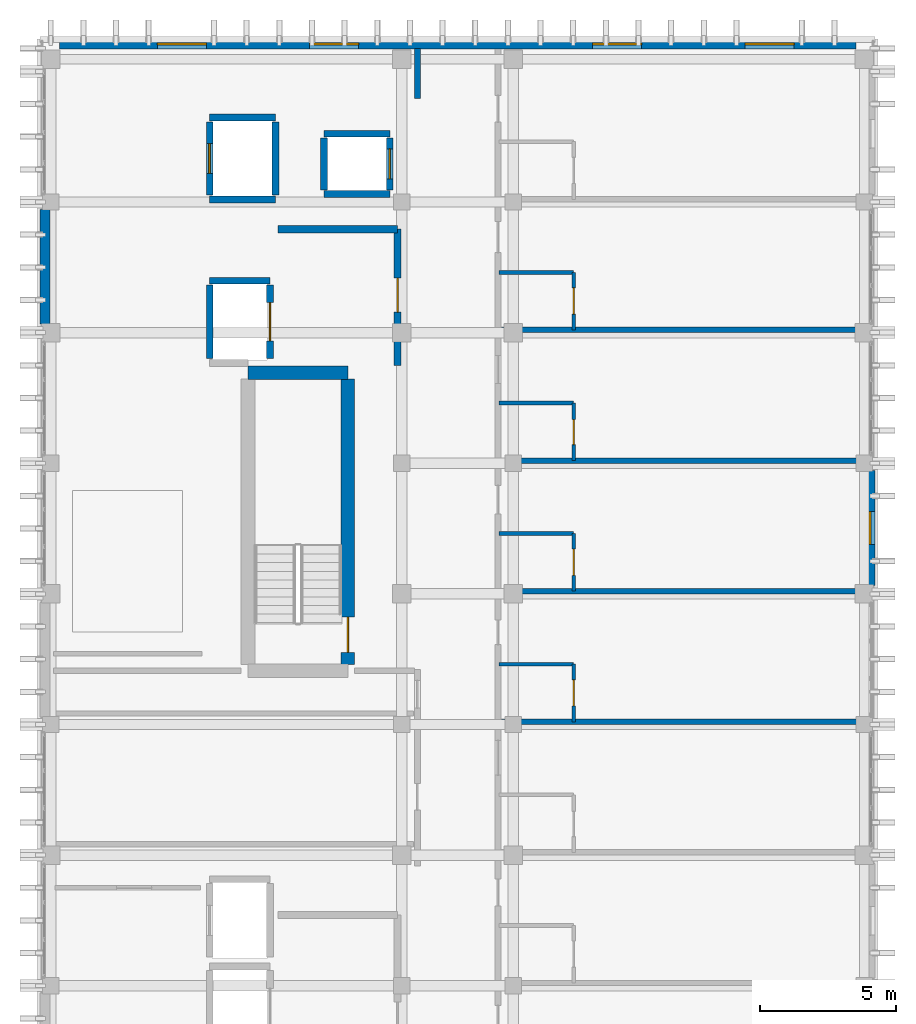
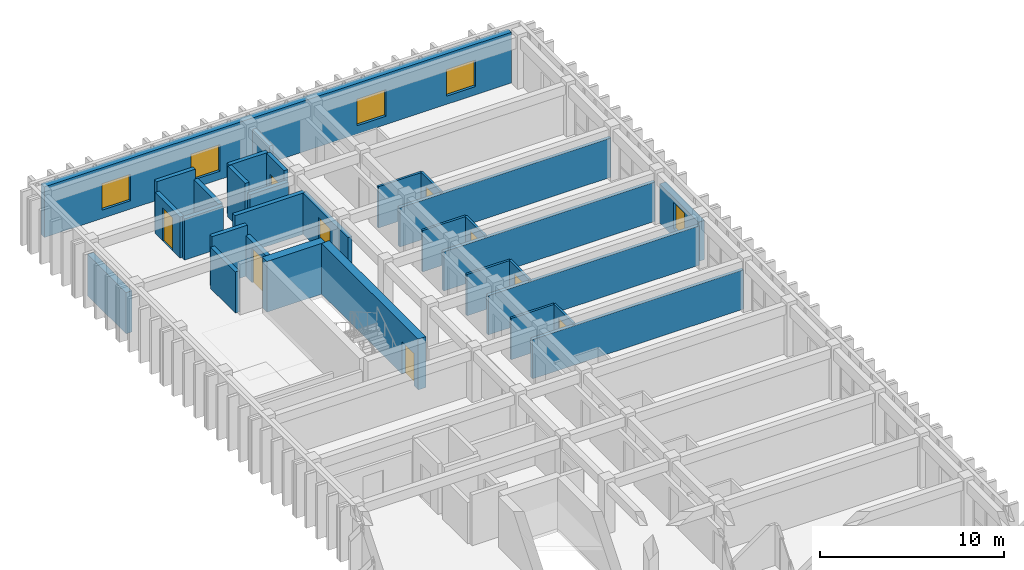
# One storey, part 46 of 53: 31 walls, 9 doors, 5 windows, 14 openings.
"""IFC4 building model written with IfcOpenShell, lengths in metres."""

from ifc_helpers import new_model, si_unit, direction, frame, frame_2d, origin, place, context, subcontext, project, spatial, rectangle, extrude, material, layer, layer_set, type_object, element, fill, save


model = new_model("IFC4")

# Units and contexts
model_context = context("Model", 3, precision=1e-05, world=origin(), true_north=direction((0.0, 1.0)))
body_context = subcontext(model_context, "Body", "Model", "MODEL_VIEW")
ifc_project = project(units=[si_unit("LENGTHUNIT", "METRE"), si_unit("AREAUNIT", "SQUARE_METRE"), si_unit("VOLUMEUNIT", "CUBIC_METRE"), si_unit("PLANEANGLEUNIT", "RADIAN"), si_unit("MASSUNIT", "GRAM", prefix="KILO")], contexts=[model_context])

# Site, building, storey
site_placement = place(None, origin())
site = spatial("IfcSite", under=ifc_project, at=site_placement, CompositionType="ELEMENT")
building_placement = place(site_placement, origin())
building = spatial("IfcBuilding", under=site, at=building_placement, Name="Nakhvara Creek Congress Hotel", CompositionType="ELEMENT")
storey_placement = place(building_placement, frame((0.0, 0.0, 35.39990234375)))
storey = spatial("IfcBuildingStorey", under=building, at=storey_placement, Name="L08", CompositionType="ELEMENT", Elevation=35.39990234375)

# Wall
ifc_material_1 = material(Name="Concrete C50/60", Category="concrete")
ifc_layer_1 = layer(ifc_material_1, 0.5)
ifc_layer_set_1 = layer_set([ifc_layer_1], Name="Concrete C50/60")
wall_type_1 = type_object("IfcWallType", Name="W-CORE-500", PredefinedType="SHEAR", material=ifc_layer_set_1)
wall_1_placement = place(storey_placement, frame((156.699951171875, 113.719970703125, 0.0), z_axis=(0.0, 0.0, 1.0), x_axis=(1.0, 0.0, 0.0)))
element("IfcWall", 1, at=wall_1_placement, inside=storey, type_object=wall_type_1, Name="Core Shear Wall WS01-CWALL-L08-0449", PredefinedType="SHEAR", context=body_context, shape_type="SweptSolid", body=[
    extrude(rectangle(XDim=3.670166015625, YDim=0.5, at=frame_2d((1.8349609375, 0.0))), origin(), (0.0, 0.0, 1.0), 3.360107421875),
])

# Wall, opening, door
wall_2_placement = place(storey_placement, frame((160.3701171875, 103.0, 0.0), z_axis=(0.0, 0.0, 1.0), x_axis=(0.0, 1.0, 0.0)))
wall_2 = element("IfcWall", 2, at=wall_2_placement, inside=storey, type_object=wall_type_1, Name="Core Shear Wall WS01-CWALL-L08-0451", PredefinedType="SHEAR", context=body_context, shape_type="SweptSolid", body=[
    extrude(rectangle(XDim=10.5, YDim=0.5, at=frame_2d((5.25, 0.0))), origin(), (0.0, 0.0, 1.0), 3.360107421875),
])
opening_1_placement = place(wall_2_placement, frame((0.449951171875, 0.0, 0.0)))
opening_1 = element("IfcOpeningElement", 3, at=opening_1_placement, cuts=wall_2, Name="Opening FD04", PredefinedType="OPENING", context=body_context, shape_type="SweptSolid", body=[
    extrude(rectangle(XDim=1.300048828125, YDim=2.14990234375, at=frame_2d((0.64990234375, 1.074951171875))), frame((0.0, 0.261962890625, 0.0), z_axis=(0.0, -1.0, 0.0), x_axis=(1.0, 0.0, 0.0)), (0.0, 0.0, 1.0), 0.52392578125),
])
ifc_material_2 = material(Name="Powder-coated steel fire door", Category="steel")
door_type_1 = type_object("IfcDoorType", Name="DT-STAIR-130", OperationType="NOTDEFINED", PredefinedType="DOOR", material=ifc_material_2)
door_1_placement = place(opening_1_placement, frame((1.300048828125, 0.0, 0.0), z_axis=(0.0, 0.0, 1.0), x_axis=(-1.0, 0.0, 0.0)))
door_1 = element("IfcDoor", 4, at=door_1_placement, inside=storey, type_object=door_type_1, Name="Stair Exit Door ST02-L08", OperationType="SINGLE_SWING_LEFT", OverallHeight=2.14990234375, OverallWidth=1.300048828125, PredefinedType="DOOR", context=body_context, shape_type="SweptSolid", body=[
    extrude(rectangle(XDim=1.300048828125, YDim=2.14990234375, at=frame_2d((0.64990234375, 1.074951171875))), frame((0.0, 0.02490234375, 0.0), z_axis=(0.0, -1.0, 0.0), x_axis=(1.0, 0.0, 0.0)), (0.0, 0.0, 1.0), 0.050048828125),
])
fill(opening_1, door_1)

# Wall
ifc_material_3 = material(Name="Gypsum acoustic board on steel stud", Category="steel")
ifc_layer_2 = layer(ifc_material_3, 0.219970703125)
ifc_layer_set_2 = layer_set([ifc_layer_2], Name="Gypsum acoustic board on steel stud")
wall_type_2 = type_object("IfcWallType", Name="W-CORR-220", PredefinedType="PARTITIONING", material=ifc_layer_set_2)
wall_3_placement = place(storey_placement, frame((162.919921875, 123.800048828125, 0.0), z_axis=(0.0, 0.0, 1.0), x_axis=(0.0, 1.0, 0.0)))
element("IfcWall", 5, at=wall_3_placement, inside=storey, type_object=wall_type_2, Name="Interior Wall WP11-IW-L08-0587", PredefinedType="PARTITIONING", context=body_context, shape_type="SweptSolid", body=[
    extrude(rectangle(XDim=1.849853515625, YDim=0.219970703125, at=frame_2d((0.9248046875, 0.0))), origin(), (0.0, 0.0, 1.0), 2.60205078125),
])

# Wall, opening, door
ifc_material_4 = material(Name="Moisture-resistant gypsum board partition")
ifc_layer_3 = layer(ifc_material_4, 0.139892578125)
ifc_layer_set_3 = layer_set([ifc_layer_3], Name="Moisture-resistant gypsum board partition")
wall_type_3 = type_object("IfcWallType", Name="W-ENS-140", PredefinedType="PARTITIONING", material=ifc_layer_set_3)
wall_4_placement = place(storey_placement, frame((168.669921875, 100.89990234375, 0.0), z_axis=(0.0, 0.0, 1.0), x_axis=(0.0, 1.0, 0.0)))
wall_4 = element("IfcWall", 6, at=wall_4_placement, inside=storey, type_object=wall_type_3, Name="Interior Wall WP15-IW-L08-0632", PredefinedType="PARTITIONING", context=body_context, shape_type="SweptSolid", body=[
    extrude(rectangle(XDim=2.1162109375, YDim=0.139892578125, at=frame_2d((1.05810546875, 0.0))), origin(), (0.0, 0.0, 1.0), 2.732177734375),
])
opening_2_placement = place(wall_4_placement, frame((0.5830078125, 0.0, 0.0)))
opening_2 = element("IfcOpeningElement", 7, at=opening_2_placement, cuts=wall_4, Name="Opening ID02", PredefinedType="OPENING", context=body_context, shape_type="SweptSolid", body=[
    extrude(rectangle(XDim=0.9599609375, YDim=2.1201171875, at=frame_2d((0.47998046875, 1.06005859375))), frame((0.0, 0.08203125, 0.0), z_axis=(0.0, -1.0, 0.0), x_axis=(1.0, 0.0, 0.0)), (0.0, 0.0, 1.0), 0.163818359375),
])
ifc_material_5 = material(Name="Moisture-resistant walnut timber door", Category="wood")
door_type_2 = type_object("IfcDoorType", Name="DT-ENS-096", OperationType="NOTDEFINED", PredefinedType="DOOR", material=ifc_material_5)
door_2_placement = place(opening_2_placement, frame((0.9599609375, 0.0, 0.0), z_axis=(0.0, 0.0, 1.0), x_axis=(-1.0, 0.0, 0.0)))
door_2 = element("IfcDoor", 8, at=door_2_placement, inside=storey, type_object=door_type_2, Name="Interior Door ID02-0467", OperationType="SINGLE_SWING_RIGHT", OverallHeight=2.1201171875, OverallWidth=0.9599609375, PredefinedType="DOOR", context=body_context, shape_type="SweptSolid", body=[
    extrude(rectangle(XDim=0.9599609375, YDim=2.1201171875, at=frame_2d((0.47998046875, 1.06005859375))), frame((0.0, 0.02490234375, 0.0), z_axis=(0.0, -1.0, 0.0), x_axis=(1.0, 0.0, 0.0)), (0.0, 0.0, 1.0), 0.050048828125),
])
fill(opening_2, door_2)

# Wall
wall_5_placement = place(storey_placement, frame((165.919921875, 103.01611328125, 0.0), z_axis=(0.0, 0.0, 1.0), x_axis=(1.0, 0.0, 0.0)))
element("IfcWall", 9, at=wall_5_placement, inside=storey, type_object=wall_type_3, Name="Interior Wall WP15-IW-L08-0633", PredefinedType="PARTITIONING", context=body_context, shape_type="SweptSolid", body=[
    extrude(rectangle(XDim=2.75, YDim=0.139892578125, at=frame_2d((1.375, 0.0))), origin(), (0.0, 0.0, 1.0), 2.732177734375),
])

# Wall, opening, door
wall_6_placement = place(storey_placement, frame((168.669921875, 105.699951171875, 0.0), z_axis=(0.0, 0.0, 1.0), x_axis=(0.0, 1.0, 0.0)))
wall_6 = element("IfcWall", 10, at=wall_6_placement, inside=storey, type_object=wall_type_3, Name="Interior Wall WP15-IW-L08-0635", PredefinedType="PARTITIONING", context=body_context, shape_type="SweptSolid", body=[
    extrude(rectangle(XDim=2.115966796875, YDim=0.139892578125, at=frame_2d((1.05810546875, 0.0))), origin(), (0.0, 0.0, 1.0), 2.732177734375),
])
opening_3_placement = place(wall_6_placement, frame((0.5830078125, 0.0, 0.0)))
opening_3 = element("IfcOpeningElement", 11, at=opening_3_placement, cuts=wall_6, Name="Opening ID02", PredefinedType="OPENING", context=body_context, shape_type="SweptSolid", body=[
    extrude(rectangle(XDim=0.9599609375, YDim=2.1201171875, at=frame_2d((0.47998046875, 1.06005859375))), frame((0.0, 0.08203125, 0.0), z_axis=(0.0, -1.0, 0.0), x_axis=(1.0, 0.0, 0.0)), (0.0, 0.0, 1.0), 0.163818359375),
])
door_3_placement = place(opening_3_placement, frame((0.9599609375, 0.0, 0.0), z_axis=(0.0, 0.0, 1.0), x_axis=(-1.0, 0.0, 0.0)))
door_3 = element("IfcDoor", 12, at=door_3_placement, inside=storey, type_object=door_type_2, Name="Interior Door ID02-0469", OperationType="SINGLE_SWING_RIGHT", OverallHeight=2.1201171875, OverallWidth=0.9599609375, PredefinedType="DOOR", context=body_context, shape_type="SweptSolid", body=[
    extrude(rectangle(XDim=0.9599609375, YDim=2.1201171875, at=frame_2d((0.47998046875, 1.06005859375))), frame((0.0, 0.02490234375, 0.0), z_axis=(0.0, -1.0, 0.0), x_axis=(1.0, 0.0, 0.0)), (0.0, 0.0, 1.0), 0.050048828125),
])
fill(opening_3, door_3)

# Wall
wall_7_placement = place(storey_placement, frame((165.919921875, 107.81591796875, 0.0), z_axis=(0.0, 0.0, 1.0), x_axis=(1.0, 0.0, 0.0)))
element("IfcWall", 13, at=wall_7_placement, inside=storey, type_object=wall_type_3, Name="Interior Wall WP15-IW-L08-0636", PredefinedType="PARTITIONING", context=body_context, shape_type="SweptSolid", body=[
    extrude(rectangle(XDim=2.75, YDim=0.139892578125, at=frame_2d((1.375, 0.0))), origin(), (0.0, 0.0, 1.0), 2.732177734375),
])

# Wall, opening, door
wall_8_placement = place(storey_placement, frame((168.669921875, 110.5, 0.0), z_axis=(0.0, 0.0, 1.0), x_axis=(0.0, 1.0, 0.0)))
wall_8 = element("IfcWall", 14, at=wall_8_placement, inside=storey, type_object=wall_type_3, Name="Interior Wall WP15-IW-L08-0638", PredefinedType="PARTITIONING", context=body_context, shape_type="SweptSolid", body=[
    extrude(rectangle(XDim=2.115966796875, YDim=0.139892578125, at=frame_2d((1.05810546875, 0.0))), origin(), (0.0, 0.0, 1.0), 2.732177734375),
])
opening_4_placement = place(wall_8_placement, frame((0.5830078125, 0.0, 0.0)))
opening_4 = element("IfcOpeningElement", 15, at=opening_4_placement, cuts=wall_8, Name="Opening ID01", PredefinedType="OPENING", context=body_context, shape_type="SweptSolid", body=[
    extrude(rectangle(XDim=0.919921875, YDim=2.10009765625, at=frame_2d((0.4599609375, 1.050048828125))), frame((0.0, 0.08203125, 0.0), z_axis=(0.0, -1.0, 0.0), x_axis=(1.0, 0.0, 0.0)), (0.0, 0.0, 1.0), 0.163818359375),
])
door_type_3 = type_object("IfcDoorType", Name="DT-ENS-092", OperationType="NOTDEFINED", PredefinedType="DOOR", material=ifc_material_5)
door_4_placement = place(opening_4_placement, frame((0.919921875, 0.0, 0.0), z_axis=(0.0, 0.0, 1.0), x_axis=(-1.0, 0.0, 0.0)))
door_4 = element("IfcDoor", 16, at=door_4_placement, inside=storey, type_object=door_type_3, Name="Interior Door ID01-0471", OperationType="SINGLE_SWING_RIGHT", OverallHeight=2.10009765625, OverallWidth=0.919921875, PredefinedType="DOOR", context=body_context, shape_type="SweptSolid", body=[
    extrude(rectangle(XDim=0.919921875, YDim=2.10009765625, at=frame_2d((0.4599609375, 1.050048828125))), frame((0.0, 0.02490234375, 0.0), z_axis=(0.0, -1.0, 0.0), x_axis=(1.0, 0.0, 0.0)), (0.0, 0.0, 1.0), 0.050048828125),
])
fill(opening_4, door_4)

# Wall
wall_9_placement = place(storey_placement, frame((165.919921875, 112.615966796875, 0.0), z_axis=(0.0, 0.0, 1.0), x_axis=(1.0, 0.0, 0.0)))
element("IfcWall", 17, at=wall_9_placement, inside=storey, type_object=wall_type_3, Name="Interior Wall WP15-IW-L08-0639", PredefinedType="PARTITIONING", context=body_context, shape_type="SweptSolid", body=[
    extrude(rectangle(XDim=2.75, YDim=0.139892578125, at=frame_2d((1.375, 0.0))), origin(), (0.0, 0.0, 1.0), 2.732177734375),
])

# Wall, opening, door
wall_10_placement = place(storey_placement, frame((168.669921875, 115.300048828125, 0.0), z_axis=(0.0, 0.0, 1.0), x_axis=(0.0, 1.0, 0.0)))
wall_10 = element("IfcWall", 18, at=wall_10_placement, inside=storey, type_object=wall_type_3, Name="Interior Wall WP15-IW-L08-0641", PredefinedType="PARTITIONING", context=body_context, shape_type="SweptSolid", body=[
    extrude(rectangle(XDim=2.115966796875, YDim=0.139892578125, at=frame_2d((1.05810546875, 0.0))), origin(), (0.0, 0.0, 1.0), 2.732177734375),
])
opening_5_placement = place(wall_10_placement, frame((0.5830078125, 0.0, 0.0)))
opening_5 = element("IfcOpeningElement", 19, at=opening_5_placement, cuts=wall_10, Name="Opening ID02", PredefinedType="OPENING", context=body_context, shape_type="SweptSolid", body=[
    extrude(rectangle(XDim=0.9599609375, YDim=2.1201171875, at=frame_2d((0.47998046875, 1.06005859375))), frame((0.0, 0.08203125, 0.0), z_axis=(0.0, -1.0, 0.0), x_axis=(1.0, 0.0, 0.0)), (0.0, 0.0, 1.0), 0.163818359375),
])
door_5_placement = place(opening_5_placement, frame((0.9599609375, 0.0, 0.0), z_axis=(0.0, 0.0, 1.0), x_axis=(-1.0, 0.0, 0.0)))
door_5 = element("IfcDoor", 20, at=door_5_placement, inside=storey, type_object=door_type_2, Name="Interior Door ID02-0473", OperationType="SINGLE_SWING_RIGHT", OverallHeight=2.1201171875, OverallWidth=0.9599609375, PredefinedType="DOOR", context=body_context, shape_type="SweptSolid", body=[
    extrude(rectangle(XDim=0.9599609375, YDim=2.1201171875, at=frame_2d((0.47998046875, 1.06005859375))), frame((0.0, 0.02490234375, 0.0), z_axis=(0.0, -1.0, 0.0), x_axis=(1.0, 0.0, 0.0)), (0.0, 0.0, 1.0), 0.050048828125),
])
fill(opening_5, door_5)

# Wall
wall_11_placement = place(storey_placement, frame((165.919921875, 117.416015625, 0.0), z_axis=(0.0, 0.0, 1.0), x_axis=(1.0, 0.0, 0.0)))
element("IfcWall", 21, at=wall_11_placement, inside=storey, type_object=wall_type_3, Name="Interior Wall WP15-IW-L08-0642", PredefinedType="PARTITIONING", context=body_context, shape_type="SweptSolid", body=[
    extrude(rectangle(XDim=2.75, YDim=0.139892578125, at=frame_2d((1.375, 0.0))), origin(), (0.0, 0.0, 1.0), 2.732177734375),
])

# Wall, openings, windows
ifc_material_6 = material(Name="Honed pale Omani limestone cladding", Category="masonry")
ifc_layer_4 = layer(ifc_material_6, 0.050048828125)
ifc_material_7 = material(Name="Mineral wool thermal insulation")
ifc_layer_5 = layer(ifc_material_7, 0.110107421875)
ifc_material_8 = material(Name="Precast concrete C40/50", Category="concrete")
ifc_layer_6 = layer(ifc_material_8, 0.219970703125)
ifc_layer_set_4 = layer_set([ifc_layer_4, ifc_layer_5, ifc_layer_6], Name="Precast concrete C40/50")
wall_type_4 = type_object("IfcWallType", Name="W-EXT-380", PredefinedType="SOLIDWALL", material=ifc_layer_set_4)
wall_12_placement = place(storey_placement, frame((149.764892578125, 125.81005859375, 0.0), z_axis=(0.0, 0.0, 1.0), x_axis=(1.0, 0.0, 0.0)))
wall_12 = element("IfcWall", 22, at=wall_12_placement, inside=storey, type_object=wall_type_4, Name="Exterior Wall WE03-EW-L08-0188", PredefinedType="SOLIDWALL", context=body_context, shape_type="SweptSolid", body=[
    extrude(rectangle(XDim=29.27001953125, YDim=0.3798828125, at=frame_2d((14.635009765625, 0.0))), origin(), (0.0, 0.0, 1.0), 3.360107421875),
])
opening_6_placement = place(wall_12_placement, frame((3.60009765625, 0.0, 0.550048828125)))
opening_6 = element("IfcOpeningElement", 23, at=opening_6_placement, cuts=wall_12, Name="Opening WN0201", PredefinedType="OPENING", context=body_context, shape_type="SweptSolid", body=[
    extrude(rectangle(XDim=1.800048828125, YDim=1.760009765625, at=frame_2d((0.89990234375, 0.8798828125))), frame((0.0, 0.201904296875, 0.0), z_axis=(0.0, -1.0, 0.0), x_axis=(1.0, 0.0, 0.0)), (0.0, 0.0, 1.0), 0.40380859375),
])
opening_7_placement = place(wall_12_placement, frame((9.199951171875, 0.0, 0.550048828125)))
opening_7 = element("IfcOpeningElement", 24, at=opening_7_placement, cuts=wall_12, Name="Opening WN0202", PredefinedType="OPENING", context=body_context, shape_type="SweptSolid", body=[
    extrude(rectangle(XDim=1.800048828125, YDim=1.760009765625, at=frame_2d((0.89990234375, 0.8798828125))), frame((0.0, 0.201904296875, 0.0), z_axis=(0.0, -1.0, 0.0), x_axis=(1.0, 0.0, 0.0)), (0.0, 0.0, 1.0), 0.40380859375),
])
opening_8_placement = place(wall_12_placement, frame((19.60009765625, 0.0, 0.550048828125)))
opening_8 = element("IfcOpeningElement", 25, at=opening_8_placement, cuts=wall_12, Name="Opening WN0203", PredefinedType="OPENING", context=body_context, shape_type="SweptSolid", body=[
    extrude(rectangle(XDim=1.800048828125, YDim=1.760009765625, at=frame_2d((0.89990234375, 0.8798828125))), frame((0.0, 0.201904296875, 0.0), z_axis=(0.0, -1.0, 0.0), x_axis=(1.0, 0.0, 0.0)), (0.0, 0.0, 1.0), 0.40380859375),
])
opening_9_placement = place(wall_12_placement, frame((25.199951171875, 0.0, 0.550048828125)))
opening_9 = element("IfcOpeningElement", 26, at=opening_9_placement, cuts=wall_12, Name="Opening WN0204", PredefinedType="OPENING", context=body_context, shape_type="SweptSolid", body=[
    extrude(rectangle(XDim=1.800048828125, YDim=1.760009765625, at=frame_2d((0.89990234375, 0.8798828125))), frame((0.0, 0.201904296875, 0.0), z_axis=(0.0, -1.0, 0.0), x_axis=(1.0, 0.0, 0.0)), (0.0, 0.0, 1.0), 0.40380859375),
])
ifc_material_9 = material(Name="Thermally broken bronze-anodised aluminium and double-silver low-E insulated glass", Category="aluminium")
window_type_1 = type_object("IfcWindowType", Name="WN-LAN-180X225", PartitioningType="SINGLE_PANEL", PredefinedType="WINDOW", material=ifc_material_9)
window_1_placement = place(opening_6_placement, origin())
window_1 = element("IfcWindow", 27, at=window_1_placement, inside=storey, type_object=window_type_1, Name="Facade Window WN0201", OverallHeight=1.760009765625, OverallWidth=1.800048828125, PartitioningType="SINGLE_PANEL", PredefinedType="WINDOW", context=body_context, shape_type="SweptSolid", body=[
    extrude(rectangle(XDim=1.800048828125, YDim=1.760009765625, at=frame_2d((0.89990234375, 0.8798828125))), frame((0.0, 0.030029296875, 0.0), z_axis=(0.0, -1.0, 0.0), x_axis=(1.0, 0.0, 0.0)), (0.0, 0.0, 1.0), 0.06005859375),
])
fill(opening_6, window_1)
window_2_placement = place(opening_7_placement, origin())
window_2 = element("IfcWindow", 28, at=window_2_placement, inside=storey, type_object=window_type_1, Name="Facade Window WN0202", OverallHeight=1.760009765625, OverallWidth=1.800048828125, PartitioningType="SINGLE_PANEL", PredefinedType="WINDOW", context=body_context, shape_type="SweptSolid", body=[
    extrude(rectangle(XDim=1.800048828125, YDim=1.760009765625, at=frame_2d((0.89990234375, 0.8798828125))), frame((0.0, 0.030029296875, 0.0), z_axis=(0.0, -1.0, 0.0), x_axis=(1.0, 0.0, 0.0)), (0.0, 0.0, 1.0), 0.06005859375),
])
fill(opening_7, window_2)
window_3_placement = place(opening_8_placement, origin())
window_3 = element("IfcWindow", 29, at=window_3_placement, inside=storey, type_object=window_type_1, Name="Facade Window WN0203", OverallHeight=1.760009765625, OverallWidth=1.800048828125, PartitioningType="SINGLE_PANEL", PredefinedType="WINDOW", context=body_context, shape_type="SweptSolid", body=[
    extrude(rectangle(XDim=1.800048828125, YDim=1.760009765625, at=frame_2d((0.89990234375, 0.8798828125))), frame((0.0, 0.030029296875, 0.0), z_axis=(0.0, -1.0, 0.0), x_axis=(1.0, 0.0, 0.0)), (0.0, 0.0, 1.0), 0.06005859375),
])
fill(opening_8, window_3)
window_4_placement = place(opening_9_placement, origin())
window_4 = element("IfcWindow", 30, at=window_4_placement, inside=storey, type_object=window_type_1, Name="Facade Window WN0204", OverallHeight=1.760009765625, OverallWidth=1.800048828125, PartitioningType="SINGLE_PANEL", PredefinedType="WINDOW", context=body_context, shape_type="SweptSolid", body=[
    extrude(rectangle(XDim=1.800048828125, YDim=1.760009765625, at=frame_2d((0.89990234375, 0.8798828125))), frame((0.0, 0.030029296875, 0.0), z_axis=(0.0, -1.0, 0.0), x_axis=(1.0, 0.0, 0.0)), (0.0, 0.0, 1.0), 0.06005859375),
])
fill(opening_9, window_4)

# Wall, opening, window
wall_13_placement = place(storey_placement, frame((179.56005859375, 110.125, 0.0), z_axis=(0.0, 0.0, 1.0), x_axis=(0.0, -1.0, 0.0)))
wall_13 = element("IfcWall", 31, at=wall_13_placement, inside=storey, type_object=wall_type_4, Name="Exterior Wall WE03-EW-L08-0197", PredefinedType="SOLIDWALL", context=body_context, shape_type="SweptSolid", body=[
    extrude(rectangle(XDim=4.2099609375, YDim=0.3798828125, at=frame_2d((2.10498046875, 0.0))), origin(), (0.0, 0.0, 1.0), 2.60205078125),
])
opening_10_placement = place(wall_13_placement, frame((1.5048828125, 0.0, 0.550048828125)))
opening_10 = element("IfcOpeningElement", 32, at=opening_10_placement, cuts=wall_13, Name="Opening WN0213", PredefinedType="OPENING", context=body_context, shape_type="SweptSolid", body=[
    extrude(rectangle(XDim=1.199951171875, YDim=1.719970703125, at=frame_2d((0.60009765625, 0.85986328125))), frame((0.0, 0.201904296875, 0.0), z_axis=(0.0, -1.0, 0.0), x_axis=(1.0, 0.0, 0.0)), (0.0, 0.0, 1.0), 0.40380859375),
])
window_type_2 = type_object("IfcWindowType", Name="WN-LAN-120X220", PartitioningType="SINGLE_PANEL", PredefinedType="WINDOW", material=ifc_material_9)
window_5_placement = place(opening_10_placement, origin())
window_5 = element("IfcWindow", 33, at=window_5_placement, inside=storey, type_object=window_type_2, Name="Facade Window WN0213", OverallHeight=1.719970703125, OverallWidth=1.199951171875, PartitioningType="SINGLE_PANEL", PredefinedType="WINDOW", context=body_context, shape_type="SweptSolid", body=[
    extrude(rectangle(XDim=1.199951171875, YDim=1.719970703125, at=frame_2d((0.60009765625, 0.85986328125))), frame((0.0, 0.030029296875, 0.0), z_axis=(0.0, -1.0, 0.0), x_axis=(1.0, 0.0, 0.0)), (0.0, 0.0, 1.0), 0.06005859375),
])
fill(opening_10, window_5)

# Wall
wall_14_placement = place(storey_placement, frame((149.239990234375, 115.514892578125, 0.0), z_axis=(0.0, 0.0, 1.0), x_axis=(0.0, 1.0, 0.0)))
element("IfcWall", 34, at=wall_14_placement, inside=storey, type_object=wall_type_4, Name="Exterior Wall WE03-EW-L08-0198", PredefinedType="SOLIDWALL", context=body_context, shape_type="SweptSolid", body=[
    extrude(rectangle(XDim=4.210205078125, YDim=0.3798828125, at=frame_2d((2.10498046875, 0.0))), origin(), (0.0, 0.0, 1.0), 2.732177734375),
])

# Wall, opening, door
ifc_material_10 = material(Name="Concrete C40/50", Category="concrete")
ifc_layer_7 = layer(ifc_material_10, 0.260009765625)
ifc_layer_set_5 = layer_set([ifc_layer_7], Name="Concrete C40/50")
wall_type_5 = type_object("IfcWallType", Name="W-FFL-260", PredefinedType="SOLIDWALL", material=ifc_layer_set_5)
wall_15_placement = place(storey_placement, frame((162.199951171875, 114.0, 0.0), z_axis=(0.0, 0.0, 1.0), x_axis=(0.0, 1.0, 0.0)))
wall_15 = element("IfcWall", 35, at=wall_15_placement, inside=storey, type_object=wall_type_5, Name="Core Shear Wall WI03-CWALL-L08-0464", PredefinedType="SOLIDWALL", context=body_context, shape_type="SweptSolid", body=[
    extrude(rectangle(XDim=5.0, YDim=0.260009765625, at=frame_2d((2.5, 0.0))), origin(), (0.0, 0.0, 1.0), 2.732177734375),
])
opening_11_placement = place(wall_15_placement, frame((1.949951171875, 0.0, 0.0)))
opening_11 = element("IfcOpeningElement", 36, at=opening_11_placement, cuts=wall_15, Name="Opening FD05", PredefinedType="OPENING", context=body_context, shape_type="SweptSolid", body=[
    extrude(rectangle(XDim=1.25, YDim=2.14990234375, at=frame_2d((0.625, 1.074951171875))), frame((0.0, 0.14208984375, 0.0), z_axis=(0.0, -1.0, 0.0), x_axis=(1.0, 0.0, 0.0)), (0.0, 0.0, 1.0), 0.283935546875),
])
ifc_material_11 = material(Name="Hardwood-veneered steel fire door", Category="steel")
door_type_4 = type_object("IfcDoorType", Name="DT-FFL-125", OperationType="NOTDEFINED", PredefinedType="DOOR", material=ifc_material_11)
door_6_placement = place(opening_11_placement, origin())
door_6 = element("IfcDoor", 37, at=door_6_placement, inside=storey, type_object=door_type_4, Name="Firefighting Lobby Door C2-L08", OperationType="DOUBLE_DOOR_SINGLE_SWING", OverallHeight=2.14990234375, OverallWidth=1.25, PredefinedType="DOOR", context=body_context, shape_type="SweptSolid", body=[
    extrude(rectangle(XDim=1.25, YDim=2.14990234375, at=frame_2d((0.625, 1.074951171875))), frame((0.0, 0.02490234375, 0.0), z_axis=(0.0, -1.0, 0.0), x_axis=(1.0, 0.0, 0.0)), (0.0, 0.0, 1.0), 0.050048828125),
])
fill(opening_11, door_6)

# Walls
wall_16_placement = place(storey_placement, frame((157.800048828125, 119.0, 0.0), z_axis=(0.0, 0.0, 1.0), x_axis=(1.0, 0.0, 0.0)))
element("IfcWall", 38, at=wall_16_placement, inside=storey, type_object=wall_type_5, Name="Core Shear Wall WI03-CWALL-L08-0465", PredefinedType="SOLIDWALL", context=body_context, shape_type="SweptSolid", body=[
    extrude(rectangle(XDim=4.39990234375, YDim=0.260009765625, at=frame_2d((2.199951171875, 0.0))), origin(), (0.0, 0.0, 1.0), 2.732177734375),
])
ifc_layer_8 = layer(ifc_material_3, 0.199951171875)
ifc_layer_set_6 = layer_set([ifc_layer_8], Name="Gypsum acoustic board on steel stud")
wall_type_6 = type_object("IfcWallType", Name="W-PART-200", PredefinedType="PARTITIONING", material=ifc_layer_set_6)
for number, where, z_axis, x_axis, name in (
    (39, (166.02001953125, 100.89990234375, 0.0), (0.0, 0.0, 1.0), (1.0, 0.0, 0.0), "Interior Wall WP12-IW-L08-0631"),
    (40, (166.02001953125, 105.699951171875, 0.0), (0.0, 0.0, 1.0), (1.0, 0.0, 0.0), "Interior Wall WP12-IW-L08-0634"),
    (41, (166.02001953125, 110.5, 0.0), (0.0, 0.0, 1.0), (1.0, 0.0, 0.0), "Interior Wall WP12-IW-L08-0637"),
    (42, (166.02001953125, 115.300048828125, 0.0), (0.0, 0.0, 1.0), (1.0, 0.0, 0.0), "Interior Wall WP12-IW-L08-0640"),
):
    element("IfcWall", number, at=place(storey_placement, frame(where, z_axis=z_axis, x_axis=x_axis)), inside=storey, type_object=wall_type_6, Name=name, PredefinedType="PARTITIONING", context=body_context, shape_type="SweptSolid", body=[
        extrude(rectangle(XDim=13.22998046875, YDim=0.199951171875, at=frame_2d((6.614990234375, 0.0))), origin(), (0.0, 0.0, 1.0), 2.60205078125),
    ])
ifc_layer_9 = layer(ifc_material_10, 0.25)
ifc_layer_set_7 = layer_set([ifc_layer_9], Name="Concrete C40/50")
wall_type_7 = type_object("IfcWallType", Name="W-SHAFT-250", PredefinedType="SOLIDWALL", material=ifc_layer_set_7)
wall_17_placement = place(storey_placement, frame((155.2900390625, 117.110107421875, 0.0), z_axis=(0.0, 0.0, 1.0), x_axis=(1.0, 0.0, 0.0)))
element("IfcWall", 43, at=wall_17_placement, inside=storey, type_object=wall_type_7, Name="Core Shear Wall WI02-CWALL-L08-0453", PredefinedType="SOLIDWALL", context=body_context, shape_type="SweptSolid", body=[
    extrude(rectangle(XDim=2.219970703125, YDim=0.25, at=frame_2d((1.10986328125, 0.0))), origin(), (0.0, 0.0, 1.0), 3.360107421875),
])
wall_18_placement = place(storey_placement, frame((155.2900390625, 114.25, 0.0), z_axis=(0.0, 0.0, 1.0), x_axis=(0.0, 1.0, 0.0)))
element("IfcWall", 44, at=wall_18_placement, inside=storey, type_object=wall_type_7, Name="Core Shear Wall WI02-CWALL-L08-0454", PredefinedType="SOLIDWALL", context=body_context, shape_type="SweptSolid", body=[
    extrude(rectangle(XDim=2.699951171875, YDim=0.25, at=frame_2d((1.35009765625, 0.0))), origin(), (0.0, 0.0, 1.0), 2.732177734375),
])

# Wall, opening, door
wall_19_placement = place(storey_placement, frame((157.510009765625, 114.25, 0.0), z_axis=(0.0, 0.0, 1.0), x_axis=(0.0, 1.0, 0.0)))
wall_19 = element("IfcWall", 45, at=wall_19_placement, inside=storey, type_object=wall_type_7, Name="Core Shear Wall WI02-CWALL-L08-0455", PredefinedType="SOLIDWALL", context=body_context, shape_type="SweptSolid", body=[
    extrude(rectangle(XDim=2.699951171875, YDim=0.25, at=frame_2d((1.35009765625, 0.0))), origin(), (0.0, 0.0, 1.0), 2.732177734375),
])
opening_12_placement = place(wall_19_placement, frame((0.64990234375, 0.0, 0.0)))
opening_12 = element("IfcOpeningElement", 46, at=opening_12_placement, cuts=wall_19, Name="Opening LD02", PredefinedType="OPENING", context=body_context, shape_type="SweptSolid", body=[
    extrude(rectangle(XDim=1.39990234375, YDim=2.300048828125, at=frame_2d((0.699951171875, 1.14990234375))), frame((0.0, 0.136962890625, 0.0), z_axis=(0.0, -1.0, 0.0), x_axis=(1.0, 0.0, 0.0)), (0.0, 0.0, 1.0), 0.27392578125),
])
ifc_material_12 = material(Name="Brushed stainless steel heavy goods landing door", Category="steel")
door_type_5 = type_object("IfcDoorType", Name="DT-LIFT-140", OperationType="DOUBLE_DOOR_SLIDING", PredefinedType="DOOR", material=ifc_material_12)
door_7_placement = place(opening_12_placement, origin())
door_7 = element("IfcDoor", 47, at=door_7_placement, inside=storey, type_object=door_type_5, Name="Landing Door FFL2-L08", OperationType="SLIDING_TO_LEFT", OverallHeight=2.300048828125, OverallWidth=1.39990234375, PredefinedType="DOOR", context=body_context, shape_type="SweptSolid", body=[
    extrude(rectangle(XDim=1.39990234375, YDim=2.300048828125, at=frame_2d((0.699951171875, 1.14990234375))), frame((0.0, 0.02490234375, 0.0), z_axis=(0.0, -1.0, 0.0), x_axis=(1.0, 0.0, 0.0)), (0.0, 0.0, 1.0), 0.050048828125),
])
fill(opening_12, door_7)

# Walls
wall_20_placement = place(storey_placement, frame((159.489990234375, 120.2900390625, 0.0), z_axis=(0.0, 0.0, 1.0), x_axis=(1.0, 0.0, 0.0)))
element("IfcWall", 48, at=wall_20_placement, inside=storey, type_object=wall_type_7, Name="Core Shear Wall WI02-CWALL-L08-0456", PredefinedType="SOLIDWALL", context=body_context, shape_type="SweptSolid", body=[
    extrude(rectangle(XDim=2.419921875, YDim=0.25, at=frame_2d((1.2099609375, 0.0))), origin(), (0.0, 0.0, 1.0), 2.732177734375),
])
wall_21_placement = place(storey_placement, frame((159.489990234375, 122.510009765625, 0.0), z_axis=(0.0, 0.0, 1.0), x_axis=(1.0, 0.0, 0.0)))
element("IfcWall", 49, at=wall_21_placement, inside=storey, type_object=wall_type_7, Name="Core Shear Wall WI02-CWALL-L08-0457", PredefinedType="SOLIDWALL", context=body_context, shape_type="SweptSolid", body=[
    extrude(rectangle(XDim=2.419921875, YDim=0.25, at=frame_2d((1.2099609375, 0.0))), origin(), (0.0, 0.0, 1.0), 3.360107421875),
])
wall_22_placement = place(storey_placement, frame((159.489990234375, 120.449951171875, 0.0), z_axis=(0.0, 0.0, 1.0), x_axis=(0.0, 1.0, 0.0)))
element("IfcWall", 50, at=wall_22_placement, inside=storey, type_object=wall_type_7, Name="Core Shear Wall WI02-CWALL-L08-0458", PredefinedType="SOLIDWALL", context=body_context, shape_type="SweptSolid", body=[
    extrude(rectangle(XDim=1.900146484375, YDim=0.25, at=frame_2d((0.9501953125, 0.0))), origin(), (0.0, 0.0, 1.0), 3.360107421875),
])

# Wall, opening, door
wall_23_placement = place(storey_placement, frame((161.909912109375, 120.449951171875, 0.0), z_axis=(0.0, 0.0, 1.0), x_axis=(0.0, 1.0, 0.0)))
wall_23 = element("IfcWall", 51, at=wall_23_placement, inside=storey, type_object=wall_type_7, Name="Core Shear Wall WI02-CWALL-L08-0459", PredefinedType="SOLIDWALL", context=body_context, shape_type="SweptSolid", body=[
    extrude(rectangle(XDim=1.900146484375, YDim=0.25, at=frame_2d((0.9501953125, 0.0))), origin(), (0.0, 0.0, 1.0), 3.360107421875),
])
opening_13_placement = place(wall_23_placement, frame((0.39990234375, 0.0, 0.0)))
opening_13 = element("IfcOpeningElement", 52, at=opening_13_placement, cuts=wall_23, Name="Opening LD01", PredefinedType="OPENING", context=body_context, shape_type="SweptSolid", body=[
    extrude(rectangle(XDim=1.10009765625, YDim=2.199951171875, at=frame_2d((0.550048828125, 1.10009765625))), frame((0.0, 0.136962890625, 0.0), z_axis=(0.0, -1.0, 0.0), x_axis=(1.0, 0.0, 0.0)), (0.0, 0.0, 1.0), 0.27392578125),
])
ifc_material_13 = material(Name="Brushed stainless steel sliding landing door", Category="steel")
door_type_6 = type_object("IfcDoorType", Name="DT-LIFT-110", OperationType="DOUBLE_DOOR_SLIDING", PredefinedType="DOOR", material=ifc_material_13)
door_8_placement = place(opening_13_placement, origin())
door_8 = element("IfcDoor", 53, at=door_8_placement, inside=storey, type_object=door_type_6, Name="Landing Door PL01-L08", OperationType="SLIDING_TO_LEFT", OverallHeight=2.199951171875, OverallWidth=1.10009765625, PredefinedType="DOOR", context=body_context, shape_type="SweptSolid", body=[
    extrude(rectangle(XDim=1.10009765625, YDim=2.199951171875, at=frame_2d((0.550048828125, 1.10009765625))), frame((0.0, 0.02490234375, 0.0), z_axis=(0.0, -1.0, 0.0), x_axis=(1.0, 0.0, 0.0)), (0.0, 0.0, 1.0), 0.050048828125),
])
fill(opening_13, door_8)

# Walls
wall_24_placement = place(storey_placement, frame((155.2900390625, 120.090087890625, 0.0), z_axis=(0.0, 0.0, 1.0), x_axis=(1.0, 0.0, 0.0)))
element("IfcWall", 54, at=wall_24_placement, inside=storey, type_object=wall_type_7, Name="Core Shear Wall WI02-CWALL-L08-0460", PredefinedType="SOLIDWALL", context=body_context, shape_type="SweptSolid", body=[
    extrude(rectangle(XDim=2.419921875, YDim=0.25, at=frame_2d((1.2099609375, 0.0))), origin(), (0.0, 0.0, 1.0), 2.732177734375),
])
wall_25_placement = place(storey_placement, frame((155.2900390625, 123.110107421875, 0.0), z_axis=(0.0, 0.0, 1.0), x_axis=(1.0, 0.0, 0.0)))
element("IfcWall", 55, at=wall_25_placement, inside=storey, type_object=wall_type_7, Name="Core Shear Wall WI02-CWALL-L08-0461", PredefinedType="SOLIDWALL", context=body_context, shape_type="SweptSolid", body=[
    extrude(rectangle(XDim=2.419921875, YDim=0.25, at=frame_2d((1.2099609375, 0.0))), origin(), (0.0, 0.0, 1.0), 3.360107421875),
])

# Wall, opening, door
wall_26_placement = place(storey_placement, frame((155.2900390625, 120.25, 0.0), z_axis=(0.0, 0.0, 1.0), x_axis=(0.0, 1.0, 0.0)))
wall_26 = element("IfcWall", 56, at=wall_26_placement, inside=storey, type_object=wall_type_7, Name="Core Shear Wall WI02-CWALL-L08-0462", PredefinedType="SOLIDWALL", context=body_context, shape_type="SweptSolid", body=[
    extrude(rectangle(XDim=2.699951171875, YDim=0.25, at=frame_2d((1.35009765625, 0.0))), origin(), (0.0, 0.0, 1.0), 2.732177734375),
])
opening_14_placement = place(wall_26_placement, frame((0.800048828125, 0.0, 0.0)))
opening_14 = element("IfcOpeningElement", 57, at=opening_14_placement, cuts=wall_26, Name="Opening LD01", PredefinedType="OPENING", context=body_context, shape_type="SweptSolid", body=[
    extrude(rectangle(XDim=1.10009765625, YDim=2.199951171875, at=frame_2d((0.550048828125, 1.10009765625))), frame((0.0, 0.136962890625, 0.0), z_axis=(0.0, -1.0, 0.0), x_axis=(1.0, 0.0, 0.0)), (0.0, 0.0, 1.0), 0.27392578125),
])
door_9_placement = place(opening_14_placement, origin())
door_9 = element("IfcDoor", 58, at=door_9_placement, inside=storey, type_object=door_type_6, Name="Landing Door SL02-L08", OperationType="SLIDING_TO_LEFT", OverallHeight=2.199951171875, OverallWidth=1.10009765625, PredefinedType="DOOR", context=body_context, shape_type="SweptSolid", body=[
    extrude(rectangle(XDim=1.10009765625, YDim=2.199951171875, at=frame_2d((0.550048828125, 1.10009765625))), frame((0.0, 0.02490234375, 0.0), z_axis=(0.0, -1.0, 0.0), x_axis=(1.0, 0.0, 0.0)), (0.0, 0.0, 1.0), 0.050048828125),
])
fill(opening_14, door_9)

# Wall
wall_27_placement = place(storey_placement, frame((157.7099609375, 120.25, 0.0), z_axis=(0.0, 0.0, 1.0), x_axis=(0.0, 1.0, 0.0)))
element("IfcWall", 59, at=wall_27_placement, inside=storey, type_object=wall_type_7, Name="Core Shear Wall WI02-CWALL-L08-0463", PredefinedType="SOLIDWALL", context=body_context, shape_type="SweptSolid", body=[
    extrude(rectangle(XDim=2.699951171875, YDim=0.25, at=frame_2d((1.35009765625, 0.0))), origin(), (0.0, 0.0, 1.0), 2.732177734375),
])

save(model, "model.ifc")
